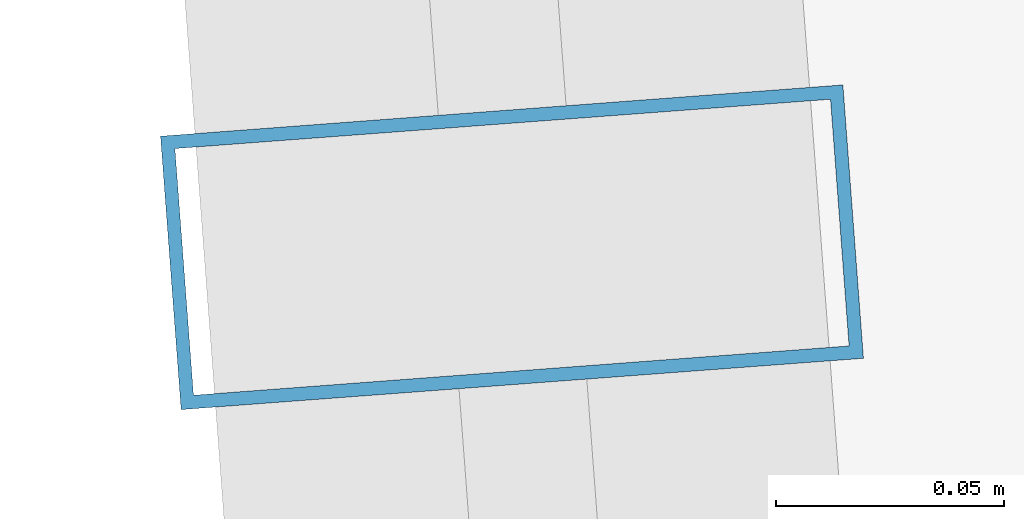
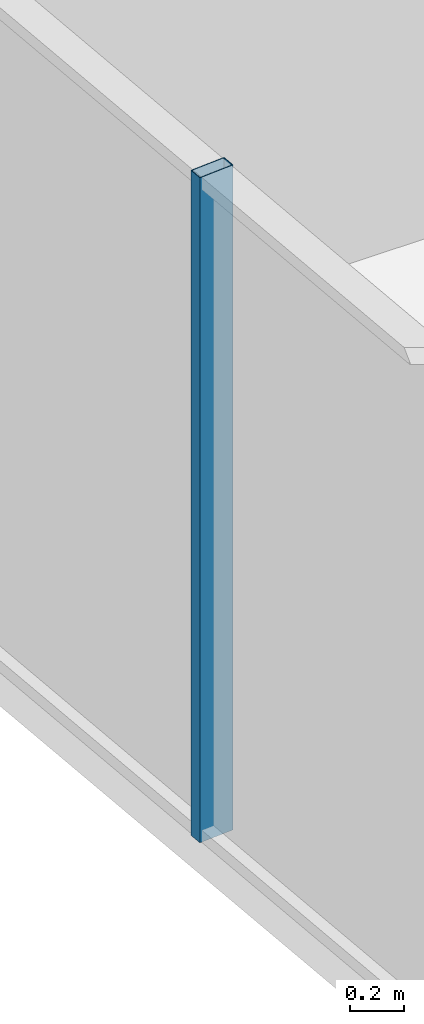
# One storey, part 12 of 34: 1 member, 1 element without a shape of its own.
"""IFC4 building model written with IfcOpenShell, lengths in metres."""

from ifc_helpers import new_model, si_unit, direction, frame, origin, origin_2d, place, context, subcontext, project, spatial, hollow_rectangle, extrude, source, transform, mapped, material, layer, layer_set, material_profile, profile_set, type_object, element, aggregate, save


model = new_model("IFC4")

# Units and contexts
model_context = context("Model", 3, precision=1e-05, world=origin(), true_north=direction((0.0, 1.0)))
body_context = subcontext(model_context, "Body", "Model", "MODEL_VIEW")
ifc_project = project(units=[si_unit("LENGTHUNIT", "METRE"), si_unit("AREAUNIT", "SQUARE_METRE"), si_unit("VOLUMEUNIT", "CUBIC_METRE"), si_unit("PLANEANGLEUNIT", "RADIAN"), si_unit("MASSUNIT", "GRAM", prefix="KILO")], contexts=[model_context])

# Site, building, storey
site_placement = place(None, origin())
site = spatial("IfcSite", under=ifc_project, at=site_placement, CompositionType="ELEMENT")
building_placement = place(site_placement, origin())
building = spatial("IfcBuilding", under=site, at=building_placement, Name="Veraguas Prism Commons", CompositionType="ELEMENT")
storey_placement = place(building_placement, frame((0.0, 0.0, 191.85009765625)))
storey = spatial("IfcBuildingStorey", under=building, at=storey_placement, Name="L54", CompositionType="ELEMENT", Elevation=191.85009765625)

# Curtain wall, member
ifc_material = material(Name="Anodised aluminium EN AW-6063 T6", Category="aluminium")
ifc_layer = layer(ifc_material, 0.14990234375, Name="Unitised Flush Curtain Wall Zone 3", Category="aluminium")
ifc_layer_set = layer_set([ifc_layer], Name="Anodised aluminium EN AW-6063 T6")
curtain_wall_type = type_object("IfcCurtainWallType", Name="Unitised Flush Curtain Wall Zone 3", PredefinedType="NOTDEFINED", material=ifc_layer_set)
curtain_wall_placement = place(storey_placement, origin())
curtain_wall = element("IfcCurtainWall", 1, at=curtain_wall_placement, inside=storey, type_object=curtain_wall_type, Name="Tower Facade Curtain Wall L54-F3", PredefinedType="NOTDEFINED")
ifc_material_profile = material_profile(ifc_material, hollow_rectangle(XDim=0.06005859375, YDim=0.14990234375, WallThickness=0.0029296875, at=origin_2d()), Name="AL60X150X3")
ifc_profile_set = profile_set([ifc_material_profile], Name="Anodised aluminium EN AW-6063 T6")
member_type = type_object("IfcMemberType", Name="Curtain Wall Mullion Upper AL 60x150x3", PredefinedType="MULLION", material=ifc_profile_set)
shared_shape = source(origin(), body_context, "Body", "SweptSolid", [
    extrude(hollow_rectangle(XDim=0.06005859375, YDim=0.14990234375, WallThickness=0.0029296875, at=origin_2d()), origin(), (0.0, 0.0, 1.0), 3.014892578125),
])
member_placement = place(storey_placement, frame((6.339599609375, 22.672119140625, 0.0), z_axis=(0.0, 0.0, 1.0), x_axis=(0.074975245993, -0.997185395244, 0.0)))
member = element("IfcMember", 2, at=member_placement, type_object=member_type, Name="CW-Z3 Mullion 3", PredefinedType="MULLION", context=body_context, shape_type="MappedRepresentation", body=[
    mapped(shared_shape, transform((0.0, 0.0, 0.0), scale=1.0)),
])
aggregate(curtain_wall, [member])

save(model, "model.ifc")
